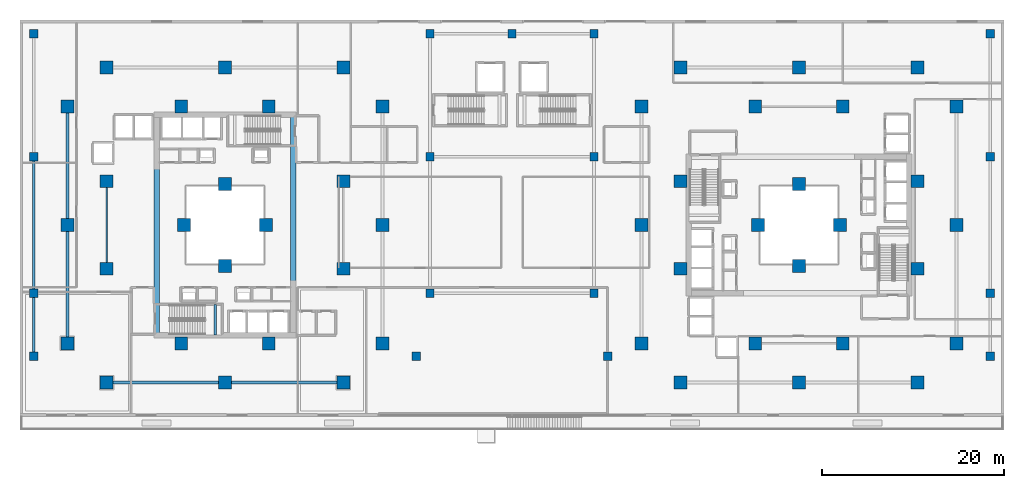
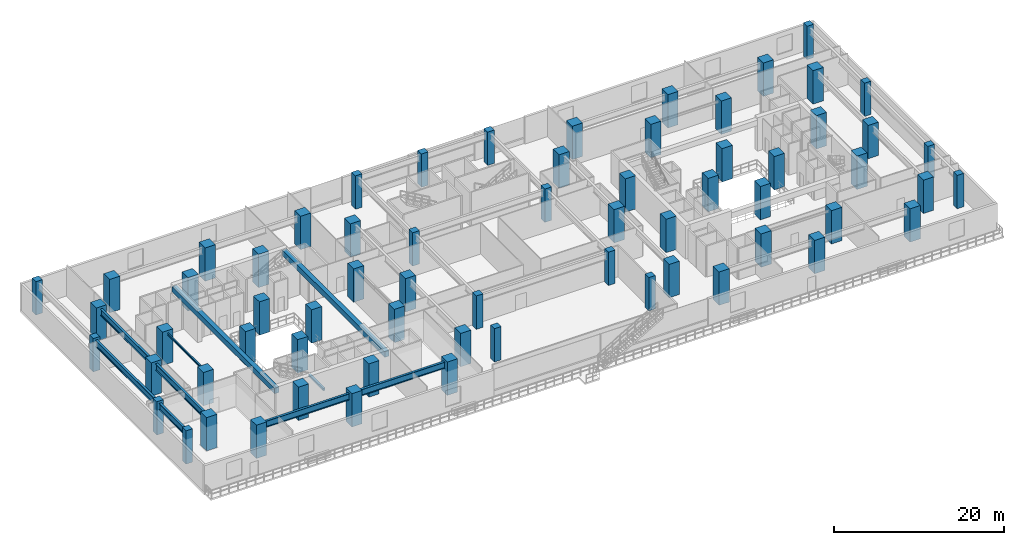
# One storey, part 1 of 22: 65 columns, 10 beams.
"""IFC4 building model written with IfcOpenShell, lengths in metres."""

from ifc_helpers import new_model, si_unit, direction, frame, origin, origin_2d, place, context, subcontext, project, spatial, rectangle, i_section, extrude, material, material_profile, profile_set, type_object, element, save


model = new_model("IFC4")

# Units and contexts
model_context = context("Model", 3, precision=1e-05, world=origin(), true_north=direction((0.0, 1.0)))
body_context = subcontext(model_context, "Body", "Model", "MODEL_VIEW")
ifc_project = project(units=[si_unit("LENGTHUNIT", "METRE"), si_unit("AREAUNIT", "SQUARE_METRE"), si_unit("VOLUMEUNIT", "CUBIC_METRE"), si_unit("PLANEANGLEUNIT", "RADIAN"), si_unit("MASSUNIT", "GRAM", prefix="KILO")], contexts=[model_context])

# Site, building, storey
site_placement = place(None, origin())
site = spatial("IfcSite", under=ifc_project, at=site_placement, CompositionType="ELEMENT")
building_placement = place(site_placement, origin())
building = spatial("IfcBuilding", under=site, at=building_placement, Name="Thornwick Lancets Civic Towers", CompositionType="ELEMENT")
storey_placement = place(building_placement, frame((0.0, 0.0, 4.800048828125)))
storey = spatial("IfcBuildingStorey", under=building, at=storey_placement, Name="L01", CompositionType="ELEMENT", Elevation=4.800048828125)

# Columns
ifc_material_1 = material(Name="Concrete C60/75", Category="concrete")
ifc_material_profile_1 = material_profile(ifc_material_1, rectangle(XDim=1.39990234375, YDim=1.39990234375, at=origin_2d()), Name="RC 1400x1400")
ifc_profile_set_1 = profile_set([ifc_material_profile_1], Name="Concrete C60/75")
column_type_1 = type_object("IfcColumnType", Name="COL_RC_1400", PredefinedType="COLUMN", material=ifc_profile_set_1)
for number, where, z_axis, x_axis, name in (
    (1, (12.5, 9.699951171875, 0.0), (0.0, 0.0, 1.0), (1.0, 0.0, 0.0), "L01 Spine Mega-Column A01"),
    (2, (25.5, 9.699951171875, 0.0), (0.0, 0.0, 1.0), (1.0, 0.0, 0.0), "L01 Spine Mega-Column A02"),
    (3, (38.5, 9.699951171875, 0.0), (0.0, 0.0, 1.0), (1.0, 0.0, 0.0), "L01 Spine Mega-Column A03"),
    (4, (42.800048828125, 14.0, 0.0), (0.0, 0.0, 1.0), (1.0, 0.0, 0.0), "L01 Spine Mega-Column A04"),
    (5, (42.800048828125, 27.0, 0.0), (0.0, 0.0, 1.0), (1.0, 0.0, 0.0), "L01 Spine Mega-Column A05"),
    (6, (42.800048828125, 40.0, 0.0), (0.0, 0.0, 1.0), (1.0, 0.0, 0.0), "L01 Spine Mega-Column A06"),
    (7, (12.5, 44.300048828125, 0.0), (0.0, 0.0, 1.0), (1.0, 0.0, 0.0), "L01 Spine Mega-Column A07"),
    (8, (25.5, 44.300048828125, 0.0), (0.0, 0.0, 1.0), (1.0, 0.0, 0.0), "L01 Spine Mega-Column A08"),
    (9, (38.5, 44.300048828125, 0.0), (0.0, 0.0, 1.0), (1.0, 0.0, 0.0), "L01 Spine Mega-Column A09"),
    (10, (8.199951171875, 14.0, 0.0), (0.0, 0.0, 1.0), (1.0, 0.0, 0.0), "L01 Spine Mega-Column A10"),
    (11, (8.199951171875, 27.0, 0.0), (0.0, 0.0, 1.0), (1.0, 0.0, 0.0), "L01 Spine Mega-Column A11"),
    (12, (8.199951171875, 40.0, 0.0), (0.0, 0.0, 1.0), (1.0, 0.0, 0.0), "L01 Spine Mega-Column A12"),
    (13, (12.5, 22.199951171875, 0.0), (0.0, 0.0, 1.0), (1.0, 0.0, 0.0), "L01 Spine Mega-Column A13"),
    (14, (38.5, 22.199951171875, 0.0), (0.0, 0.0, 1.0), (1.0, 0.0, 0.0), "L01 Spine Mega-Column A14"),
    (15, (12.5, 31.800048828125, 0.0), (0.0, 0.0, 1.0), (1.0, 0.0, 0.0), "L01 Spine Mega-Column A15"),
    (16, (38.5, 31.800048828125, 0.0), (0.0, 0.0, 1.0), (1.0, 0.0, 0.0), "L01 Spine Mega-Column A16"),
    (17, (20.699951171875, 14.0, 0.0), (0.0, 0.0, 1.0), (1.0, 0.0, 0.0), "L01 Spine Mega-Column A17"),
    (18, (30.300048828125, 14.0, 0.0), (0.0, 0.0, 1.0), (1.0, 0.0, 0.0), "L01 Spine Mega-Column A18"),
    (19, (20.699951171875, 40.0, 0.0), (0.0, 0.0, 1.0), (1.0, 0.0, 0.0), "L01 Spine Mega-Column A19"),
    (20, (30.300048828125, 40.0, 0.0), (0.0, 0.0, 1.0), (1.0, 0.0, 0.0), "L01 Spine Mega-Column A20"),
    (21, (25.5, 22.5, 0.0), (0.0, 0.0, 1.0), (1.0, 0.0, 0.0), "L01 Spine Mega-Column A21"),
    (22, (25.5, 31.5, 0.0), (0.0, 0.0, 1.0), (1.0, 0.0, 0.0), "L01 Spine Mega-Column A22"),
    (23, (21.0, 27.0, 0.0), (0.0, 0.0, 1.0), (1.0, 0.0, 0.0), "L01 Spine Mega-Column A23"),
    (24, (30.0, 27.0, 0.0), (0.0, 0.0, 1.0), (1.0, 0.0, 0.0), "L01 Spine Mega-Column A24"),
    (25, (105.800048828125, 14.0, 0.0), (0.0, 0.0, 1.0), (1.0, 0.0, 0.0), "L01 Spine Mega-Column B01"),
    (26, (105.800048828125, 27.0, 0.0), (0.0, 0.0, 1.0), (1.0, 0.0, 0.0), "L01 Spine Mega-Column B02"),
    (27, (105.800048828125, 40.0, 0.0), (0.0, 0.0, 1.0), (1.0, 0.0, 0.0), "L01 Spine Mega-Column B03"),
    (28, (101.5, 44.300048828125, 0.0), (0.0, 0.0, 1.0), (1.0, 0.0, 0.0), "L01 Spine Mega-Column B04"),
    (29, (88.5, 44.300048828125, 0.0), (0.0, 0.0, 1.0), (1.0, 0.0, 0.0), "L01 Spine Mega-Column B05"),
    (30, (75.5, 44.300048828125, 0.0), (0.0, 0.0, 1.0), (1.0, 0.0, 0.0), "L01 Spine Mega-Column B06"),
    (31, (71.199951171875, 14.0, 0.0), (0.0, 0.0, 1.0), (1.0, 0.0, 0.0), "L01 Spine Mega-Column B07"),
    (32, (71.199951171875, 27.0, 0.0), (0.0, 0.0, 1.0), (1.0, 0.0, 0.0), "L01 Spine Mega-Column B08"),
    (33, (71.199951171875, 40.0, 0.0), (0.0, 0.0, 1.0), (1.0, 0.0, 0.0), "L01 Spine Mega-Column B09"),
    (34, (101.5, 9.699951171875, 0.0), (0.0, 0.0, 1.0), (1.0, 0.0, 0.0), "L01 Spine Mega-Column B10"),
    (35, (88.5, 9.699951171875, 0.0), (0.0, 0.0, 1.0), (1.0, 0.0, 0.0), "L01 Spine Mega-Column B11"),
    (36, (75.5, 9.699951171875, 0.0), (0.0, 0.0, 1.0), (1.0, 0.0, 0.0), "L01 Spine Mega-Column B12"),
    (37, (93.300048828125, 14.0, 0.0), (0.0, 0.0, 1.0), (1.0, 0.0, 0.0), "L01 Spine Mega-Column B13"),
    (38, (93.300048828125, 40.0, 0.0), (0.0, 0.0, 1.0), (1.0, 0.0, 0.0), "L01 Spine Mega-Column B14"),
    (39, (83.699951171875, 14.0, 0.0), (0.0, 0.0, 1.0), (1.0, 0.0, 0.0), "L01 Spine Mega-Column B15"),
    (40, (83.699951171875, 40.0, 0.0), (0.0, 0.0, 1.0), (1.0, 0.0, 0.0), "L01 Spine Mega-Column B16"),
    (41, (101.5, 22.199951171875, 0.0), (0.0, 0.0, 1.0), (1.0, 0.0, 0.0), "L01 Spine Mega-Column B17"),
    (42, (101.5, 31.800048828125, 0.0), (0.0, 0.0, 1.0), (1.0, 0.0, 0.0), "L01 Spine Mega-Column B18"),
    (43, (75.5, 22.199951171875, 0.0), (0.0, 0.0, 1.0), (1.0, 0.0, 0.0), "L01 Spine Mega-Column B19"),
    (44, (75.5, 31.800048828125, 0.0), (0.0, 0.0, 1.0), (1.0, 0.0, 0.0), "L01 Spine Mega-Column B20"),
    (45, (93.0, 27.0, 0.0), (0.0, 0.0, 1.0), (1.0, 0.0, 0.0), "L01 Spine Mega-Column B21"),
    (46, (84.0, 27.0, 0.0), (0.0, 0.0, 1.0), (1.0, 0.0, 0.0), "L01 Spine Mega-Column B22"),
    (47, (88.5, 22.5, 0.0), (0.0, 0.0, 1.0), (1.0, 0.0, 0.0), "L01 Spine Mega-Column B23"),
    (48, (88.5, 31.5, 0.0), (0.0, 0.0, 1.0), (1.0, 0.0, 0.0), "L01 Spine Mega-Column B24"),
):
    element("IfcColumn", number, at=place(storey_placement, frame(where, z_axis=z_axis, x_axis=x_axis)), inside=storey, type_object=column_type_1, Name=name, PredefinedType="COLUMN", context=body_context, shape_type="SweptSolid", body=[
        extrude(rectangle(XDim=1.39990234375, YDim=1.39990234375, at=origin_2d()), origin(), (0.0, 0.0, 1.0), 4.800048828125),
    ])
ifc_material_2 = material(Name="Concrete C50/60", Category="concrete")
ifc_material_profile_2 = material_profile(ifc_material_2, rectangle(XDim=0.89990234375, YDim=0.89990234375, at=origin_2d()), Name="RC 900x900")
ifc_profile_set_2 = profile_set([ifc_material_profile_2], Name="Concrete C50/60")
column_type_2 = type_object("IfcColumnType", Name="COL_RC_900", PredefinedType="COLUMN", material=ifc_profile_set_2)
for number, where, z_axis, x_axis, name in (
    (49, (4.5, 12.60009765625, 0.0), (0.0, 0.0, 1.0), (1.0, 0.0, 0.0), "L01 Podium Column P07"),
    (50, (46.5, 12.60009765625, 0.0), (0.0, 0.0, 1.0), (1.0, 0.0, 0.0), "L01 Podium Column P08"),
    (51, (67.5, 12.60009765625, 0.0), (0.0, 0.0, 1.0), (1.0, 0.0, 0.0), "L01 Podium Column P09"),
    (52, (109.5, 12.60009765625, 0.0), (0.0, 0.0, 1.0), (1.0, 0.0, 0.0), "L01 Podium Column P10"),
    (53, (4.5, 19.5, 0.0), (0.0, 0.0, 1.0), (1.0, 0.0, 0.0), "L01 Podium Column P11"),
    (54, (4.5, 34.5, 0.0), (0.0, 0.0, 1.0), (1.0, 0.0, 0.0), "L01 Podium Column P12"),
    (55, (4.5, 48.0, 0.0), (0.0, 0.0, 1.0), (1.0, 0.0, 0.0), "L01 Podium Column P13"),
    (56, (48.0, 19.5, 0.0), (0.0, 0.0, 1.0), (1.0, 0.0, 0.0), "L01 Podium Column P14"),
    (57, (66.0, 19.5, 0.0), (0.0, 0.0, 1.0), (1.0, 0.0, 0.0), "L01 Podium Column P15"),
    (58, (48.0, 34.5, 0.0), (0.0, 0.0, 1.0), (1.0, 0.0, 0.0), "L01 Podium Column P16"),
    (59, (66.0, 34.5, 0.0), (0.0, 0.0, 1.0), (1.0, 0.0, 0.0), "L01 Podium Column P17"),
    (60, (48.0, 48.0, 0.0), (0.0, 0.0, 1.0), (1.0, 0.0, 0.0), "L01 Podium Column P18"),
    (61, (57.0, 48.0, 0.0), (0.0, 0.0, 1.0), (1.0, 0.0, 0.0), "L01 Podium Column P19"),
    (62, (66.0, 48.0, 0.0), (0.0, 0.0, 1.0), (1.0, 0.0, 0.0), "L01 Podium Column P20"),
    (63, (109.5, 19.5, 0.0), (0.0, 0.0, 1.0), (1.0, 0.0, 0.0), "L01 Podium Column P21"),
    (64, (109.5, 34.5, 0.0), (0.0, 0.0, 1.0), (1.0, 0.0, 0.0), "L01 Podium Column P22"),
    (65, (109.5, 48.0, 0.0), (0.0, 0.0, 1.0), (1.0, 0.0, 0.0), "L01 Podium Column P23"),
):
    element("IfcColumn", number, at=place(storey_placement, frame(where, z_axis=z_axis, x_axis=x_axis)), inside=storey, type_object=column_type_2, Name=name, PredefinedType="COLUMN", context=body_context, shape_type="SweptSolid", body=[
        extrude(rectangle(XDim=0.89990234375, YDim=0.89990234375, at=origin_2d()), origin(), (0.0, 0.0, 1.0), 4.800048828125),
    ])

# Beams
ifc_material_profile_3 = material_profile(ifc_material_1, rectangle(XDim=0.60009765625, YDim=0.800048828125, at=origin_2d()), Name="RC 600x800")
ifc_profile_set_3 = profile_set([ifc_material_profile_3], Name="Concrete C60/75")
beam_type_1 = type_object("IfcBeamType", Name="BM_COUP_RC800", PredefinedType="BEAM", material=ifc_profile_set_3)
for number, where, z_axis, x_axis, name in (
    (66, (33.0, 14.89990234375, 4.079833984375), (0.0, 1.0, 0.0), (-1.0, 0.0, 0.0), "CB-L01-A1"),
    (67, (18.0, 14.89990234375, 4.079833984375), (0.0, 1.0, 0.0), (-1.0, 0.0, 0.0), "CB-L01-A2"),
):
    element("IfcBeam", number, at=place(storey_placement, frame(where, z_axis=z_axis, x_axis=x_axis)), inside=storey, type_object=beam_type_1, Name=name, PredefinedType="BEAM", context=body_context, shape_type="SweptSolid", body=[
        extrude(rectangle(XDim=0.60009765625, YDim=0.800048828125, at=origin_2d()), origin(), (0.0, 0.0, 1.0), 24.2001953125),
    ])
ifc_material_3 = material(Name="Steel S355JR", Category="steel")
ifc_material_profile_4 = material_profile(ifc_material_3, i_section(OverallWidth=0.1669921875, OverallDepth=0.310302734375, WebThickness=0.0078125, FlangeThickness=0.013671875, FilletRadius=0.0087890625, at=origin_2d()), Name="UKB 305x165x54")
ifc_profile_set_4 = profile_set([ifc_material_profile_4], Name="Steel S355JR")
beam_type_2 = type_object("IfcBeamType", Name="BM_LINTEL_305_54", PredefinedType="LINTEL", material=ifc_profile_set_4)
beam_1_placement = place(storey_placement, frame((12.5, 22.199951171875, 4.32470703125), z_axis=(0.0, 1.0, 0.0), x_axis=(-1.0, 0.0, 0.0)))
element("IfcBeam", 68, at=beam_1_placement, inside=storey, type_object=beam_type_2, Name="BM-INSP-L01-A-0-2", PredefinedType="LINTEL", context=body_context, shape_type="SweptSolid", body=[
    extrude(i_section(OverallWidth=0.1669921875, OverallDepth=0.310302734375, WebThickness=0.0078125, FlangeThickness=0.013671875, FilletRadius=0.0087890625, at=origin_2d()), origin(), (0.0, 0.0, 1.0), 9.60009765625),
])
ifc_material_profile_5 = material_profile(ifc_material_3, i_section(OverallWidth=0.3076171875, OverallDepth=0.926513671875, WebThickness=0.01953125, FlangeThickness=0.031982421875, FilletRadius=0.01904296875, at=origin_2d()), Name="UKB 914x305x289")
ifc_profile_set_5 = profile_set([ifc_material_profile_5], Name="Steel S355JR")
beam_type_3 = type_object("IfcBeamType", Name="BM_POD_914_289", PredefinedType="BEAM", material=ifc_profile_set_5)
beam_2_placement = place(storey_placement, frame((12.5, 9.699951171875, 4.0166015625), z_axis=(1.0, 0.0, 0.0), x_axis=(0.0, 1.0, 0.0)))
element("IfcBeam", 69, at=beam_2_placement, inside=storey, type_object=beam_type_3, Name="BM-SPINE-L01-A-0-1", PredefinedType="BEAM", context=body_context, shape_type="SweptSolid", body=[
    extrude(i_section(OverallWidth=0.3076171875, OverallDepth=0.926513671875, WebThickness=0.01953125, FlangeThickness=0.031982421875, FilletRadius=0.01904296875, at=origin_2d()), origin(), (0.0, 0.0, 1.0), 13.0),
])
beam_3_placement = place(storey_placement, frame((25.580078125, 9.699951171875, 4.0166015625), z_axis=(1.0, 0.0, 0.0), x_axis=(0.0, 1.0, 0.0)))
element("IfcBeam", 70, at=beam_3_placement, inside=storey, type_object=beam_type_3, Name="BM-SPINE-L01-A-1-2", PredefinedType="BEAM", context=body_context, shape_type="SweptSolid", body=[
    extrude(i_section(OverallWidth=0.3076171875, OverallDepth=0.926513671875, WebThickness=0.01953125, FlangeThickness=0.031982421875, FilletRadius=0.01904296875, at=origin_2d()), origin(), (0.0, 0.0, 1.0), 12.919921875),
])
beam_4_placement = place(storey_placement, frame((8.199951171875, 14.0, 4.0166015625), z_axis=(0.0, 1.0, 0.0), x_axis=(-1.0, 0.0, 0.0)))
element("IfcBeam", 71, at=beam_4_placement, inside=storey, type_object=beam_type_3, Name="BM-SPINE-L01-A-9-10", PredefinedType="BEAM", context=body_context, shape_type="SweptSolid", body=[
    extrude(i_section(OverallWidth=0.3076171875, OverallDepth=0.926513671875, WebThickness=0.01953125, FlangeThickness=0.031982421875, FilletRadius=0.01904296875, at=origin_2d()), origin(), (0.0, 0.0, 1.0), 13.0),
])
beam_5_placement = place(storey_placement, frame((8.199951171875, 27.080078125, 4.0166015625), z_axis=(0.0, 1.0, 0.0), x_axis=(-1.0, 0.0, 0.0)))
element("IfcBeam", 72, at=beam_5_placement, inside=storey, type_object=beam_type_3, Name="BM-SPINE-L01-A-10-11", PredefinedType="BEAM", context=body_context, shape_type="SweptSolid", body=[
    extrude(i_section(OverallWidth=0.3076171875, OverallDepth=0.926513671875, WebThickness=0.01953125, FlangeThickness=0.031982421875, FilletRadius=0.01904296875, at=origin_2d()), origin(), (0.0, 0.0, 1.0), 12.919921875),
])
beam_6_placement = place(storey_placement, frame((4.5, 12.60009765625, 4.0166015625), z_axis=(0.0, 1.0, 0.0), x_axis=(-1.0, 0.0, 0.0)))
element("IfcBeam", 73, at=beam_6_placement, inside=storey, type_object=beam_type_3, Name="BM-PODG-L01-0-4", PredefinedType="BEAM", context=body_context, shape_type="SweptSolid", body=[
    extrude(i_section(OverallWidth=0.3076171875, OverallDepth=0.926513671875, WebThickness=0.01953125, FlangeThickness=0.031982421875, FilletRadius=0.01904296875, at=origin_2d()), origin(), (0.0, 0.0, 1.0), 6.89990234375),
])
beam_7_placement = place(storey_placement, frame((4.5, 19.580078125, 4.0166015625), z_axis=(0.0, 1.0, 0.0), x_axis=(-1.0, 0.0, 0.0)))
element("IfcBeam", 74, at=beam_7_placement, inside=storey, type_object=beam_type_3, Name="BM-PODG-L01-4-5", PredefinedType="BEAM", context=body_context, shape_type="SweptSolid", body=[
    extrude(i_section(OverallWidth=0.3076171875, OverallDepth=0.926513671875, WebThickness=0.01953125, FlangeThickness=0.031982421875, FilletRadius=0.01904296875, at=origin_2d()), origin(), (0.0, 0.0, 1.0), 14.919921875),
])
ifc_material_4 = material(Name="Concrete C40/50", Category="concrete")
ifc_material_profile_6 = material_profile(ifc_material_4, rectangle(XDim=0.300048828125, YDim=0.35009765625, at=origin_2d()), Name="RC 300x350")
ifc_profile_set_6 = profile_set([ifc_material_profile_6], Name="Concrete C40/50")
beam_type_4 = type_object("IfcBeamType", Name="BM_STAIR_LDG", PredefinedType="BEAM", material=ifc_profile_set_6)
beam_8_placement = place(storey_placement, frame((24.43505859375, 14.89990234375, 1.97802734375), z_axis=(0.0, 1.0, 0.0), x_axis=(-1.0, 0.0, 0.0)))
element("IfcBeam", 75, at=beam_8_placement, inside=storey, type_object=beam_type_4, Name="L01 ST-A1 Landing Support Beam 1", PredefinedType="BEAM", context=body_context, shape_type="SweptSolid", body=[
    extrude(rectangle(XDim=0.300048828125, YDim=0.35009765625, at=origin_2d()), origin(), (0.0, 0.0, 1.0), 3.400146484375),
])

save(model, "model.ifc")
